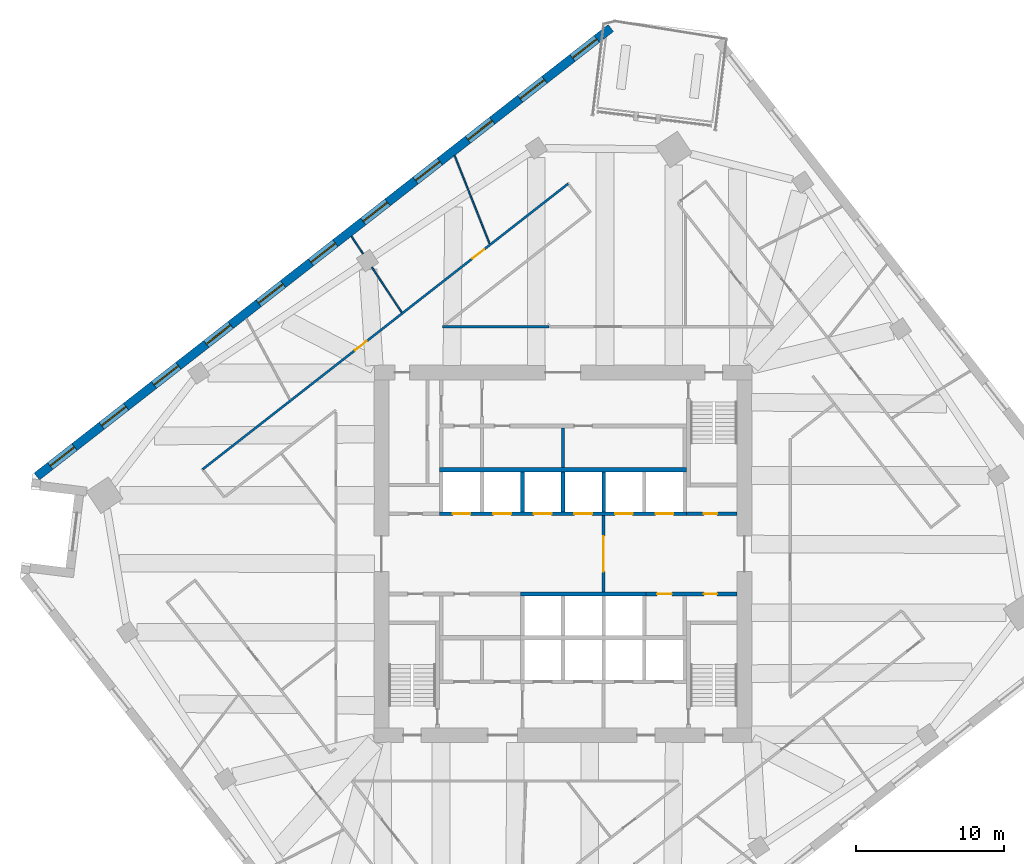
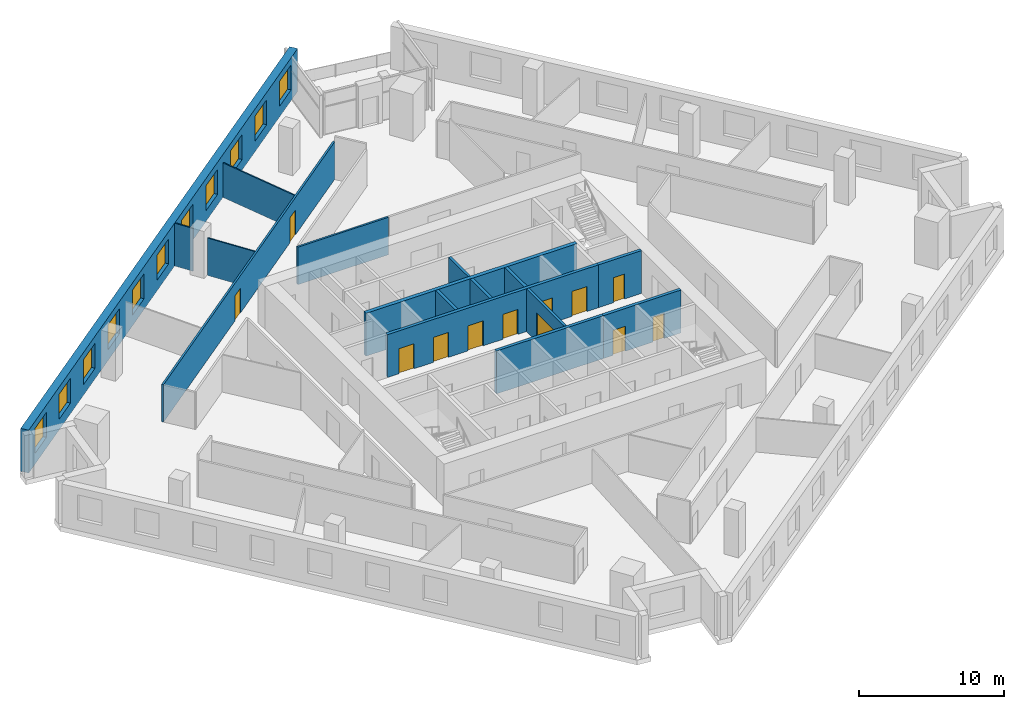
# One storey, part 7 of 11: 16 walls, 12 doors, 11 windows, 23 openings.
"""IFC4 building model written with IfcOpenShell, lengths in metres."""

from ifc_helpers import new_model, si_unit, direction, frame, frame_2d, origin, place, context, subcontext, project, spatial, rectangle, extrude, material, layer, layer_set, type_object, element, fill, save


model = new_model("IFC4")

# Units and contexts
model_context = context("Model", 3, precision=1e-05, world=origin(), true_north=direction((0.0, 1.0)))
body_context = subcontext(model_context, "Body", "Model", "MODEL_VIEW")
ifc_project = project(units=[si_unit("LENGTHUNIT", "METRE"), si_unit("AREAUNIT", "SQUARE_METRE"), si_unit("VOLUMEUNIT", "CUBIC_METRE"), si_unit("PLANEANGLEUNIT", "RADIAN"), si_unit("MASSUNIT", "GRAM", prefix="KILO")], contexts=[model_context])

# Site, building, storey
site_placement = place(None, origin())
site = spatial("IfcSite", under=ifc_project, at=site_placement, CompositionType="ELEMENT")
building_placement = place(site_placement, origin())
building = spatial("IfcBuilding", under=site, at=building_placement, Name="Dilmun Exchange Tower", CompositionType="ELEMENT")
storey_placement = place(building_placement, frame((0.0, 0.0, 179.699951171875)))
storey = spatial("IfcBuildingStorey", under=building, at=storey_placement, Name="L42", CompositionType="ELEMENT", Elevation=179.699951171875)

# Wall, opening, door
ifc_material_1 = material(Name="Concrete C40/50", Category="concrete")
ifc_layer_1 = layer(ifc_material_1, 0.199951171875)
ifc_layer_set_1 = layer_set([ifc_layer_1], Name="Concrete C40/50")
wall_type_1 = type_object("IfcWallType", Name="Core partition wall 200", PredefinedType="PARTITIONING", material=ifc_layer_set_1)
wall_1_placement = place(storey_placement, frame((2.75, -2.594970703125, 0.0), z_axis=(0.0, 0.0, 1.0), x_axis=(0.0, 1.0, 0.0)))
wall_1 = element("IfcWall", 1, at=wall_1_placement, inside=storey, type_object=wall_type_1, Name="L42 core partition wall 11", PredefinedType="PARTITIONING", context=body_context, shape_type="SweptSolid", body=[
    extrude(rectangle(XDim=5.18994140625, YDim=0.199951171875, at=frame_2d((2.594970703125, 0.0))), origin(), (0.0, 0.0, 1.0), 3.60009765625),
])
opening_1_placement = place(wall_1_placement, frame((1.39501953125, 0.0, 0.0)))
opening_1 = element("IfcOpeningElement", 2, at=opening_1_placement, cuts=wall_1, Name="Opening CD1", PredefinedType="OPENING", context=body_context, shape_type="SweptSolid", body=[
    extrude(rectangle(XDim=2.39990234375, YDim=2.39990234375, at=frame_2d((1.199951171875, 1.199951171875))), frame((0.0, 0.10986328125, 0.0), z_axis=(0.0, -1.0, 0.0), x_axis=(1.0, 0.0, 0.0)), (0.0, 0.0, 1.0), 0.219970703125),
])
ifc_material_2 = material(Name="Fire-rated steel door set", Category="steel")
door_type_1 = type_object("IfcDoorType", Name="Core lobby door 2400x2400", OperationType="DOUBLE_DOOR_DOUBLE_SWING", PredefinedType="DOOR", material=ifc_material_2)
door_1_placement = place(opening_1_placement, origin())
door_1 = element("IfcDoor", 3, at=door_1_placement, inside=storey, type_object=door_type_1, Name="L42 door Lift lobby east", OperationType="SINGLE_SWING_LEFT", OverallHeight=2.39990234375, OverallWidth=2.39990234375, PredefinedType="DOOR", context=body_context, shape_type="SweptSolid", body=[
    extrude(rectangle(XDim=2.39990234375, YDim=2.39990234375, at=frame_2d((1.199951171875, 1.199951171875))), frame((0.0, 0.02490234375, 0.0), z_axis=(0.0, -1.0, 0.0), x_axis=(1.0, 0.0, 0.0)), (0.0, 0.0, 1.0), 0.050048828125),
])
fill(opening_1, door_1)

# Wall
wall_2_placement = place(storey_placement, frame((0.0, 5.85498046875, 0.0), z_axis=(0.0, 0.0, 1.0), x_axis=(0.0, 1.0, 0.0)))
element("IfcWall", 4, at=wall_2_placement, inside=storey, type_object=wall_type_1, Name="L42 core partition wall 18", PredefinedType="PARTITIONING", context=body_context, shape_type="SweptSolid", body=[
    extrude(rectangle(XDim=2.68994140625, YDim=0.199951171875, at=frame_2d((1.344970703125, 0.0))), origin(), (0.0, 0.0, 1.0), 3.60009765625),
])

# Wall, openings, doors
ifc_layer_2 = layer(ifc_material_1, 0.25)
ifc_layer_set_2 = layer_set([ifc_layer_2], Name="Concrete C40/50")
wall_type_2 = type_object("IfcWallType", Name="Core partition wall 250", PredefinedType="PARTITIONING", material=ifc_layer_set_2)
wall_3_placement = place(storey_placement, frame((5.6298828125, -2.72509765625, 0.0), z_axis=(0.0, 0.0, 1.0), x_axis=(1.0, 0.0, 0.0)))
wall_3 = element("IfcWall", 5, at=wall_3_placement, inside=storey, type_object=wall_type_2, Name="L42 core partition wall 10", PredefinedType="PARTITIONING", context=body_context, shape_type="SweptSolid", body=[
    extrude(rectangle(XDim=6.1650390625, YDim=0.25, at=frame_2d((3.08251953125, 0.0))), origin(), (0.0, 0.0, 1.0), 3.60009765625),
])
opening_2_placement = place(wall_3_placement, frame((0.7451171875, 0.0, 0.0)))
opening_2 = element("IfcOpeningElement", 6, at=opening_2_placement, cuts=wall_3, Name="Opening CD4", PredefinedType="OPENING", context=body_context, shape_type="SweptSolid", body=[
    extrude(rectangle(XDim=1.0, YDim=2.10009765625, at=frame_2d((0.5, 1.050048828125))), frame((0.0, 0.135009765625, 0.0), z_axis=(0.0, -1.0, 0.0), x_axis=(1.0, 0.0, 0.0)), (0.0, 0.0, 1.0), 0.27001953125),
])
opening_3_placement = place(wall_3_placement, frame((3.919921875, 0.0, 0.0)))
opening_3 = element("IfcOpeningElement", 7, at=opening_3_placement, cuts=wall_3, Name="Opening CD6", PredefinedType="OPENING", context=body_context, shape_type="SweptSolid", body=[
    extrude(rectangle(XDim=0.89990234375, YDim=2.10009765625, at=frame_2d((0.449951171875, 1.050048828125))), frame((0.0, 0.135009765625, 0.0), z_axis=(0.0, -1.0, 0.0), x_axis=(1.0, 0.0, 0.0)), (0.0, 0.0, 1.0), 0.27001953125),
])
door_type_2 = type_object("IfcDoorType", Name="Core room door 1000x2100", OperationType="SINGLE_SWING_LEFT", PredefinedType="DOOR", material=ifc_material_2)
door_2_placement = place(opening_2_placement, origin())
door_2 = element("IfcDoor", 8, at=door_2_placement, inside=storey, type_object=door_type_2, Name="L42 door Cleaners' store", OperationType="SINGLE_SWING_LEFT", OverallHeight=2.10009765625, OverallWidth=1.0, PredefinedType="DOOR", context=body_context, shape_type="SweptSolid", body=[
    extrude(rectangle(XDim=1.0, YDim=2.10009765625, at=frame_2d((0.5, 1.050048828125))), frame((0.0, 0.02490234375, 0.0), z_axis=(0.0, -1.0, 0.0), x_axis=(1.0, 0.0, 0.0)), (0.0, 0.0, 1.0), 0.050048828125),
])
fill(opening_2, door_2)
door_type_3 = type_object("IfcDoorType", Name="Core room door 900x2100", OperationType="SINGLE_SWING_LEFT", PredefinedType="DOOR", material=ifc_material_2)
door_3_placement = place(opening_3_placement, origin())
door_3 = element("IfcDoor", 9, at=door_3_placement, inside=storey, type_object=door_type_3, Name="L42 door Comms riser", OperationType="SINGLE_SWING_LEFT", OverallHeight=2.10009765625, OverallWidth=0.89990234375, PredefinedType="DOOR", context=body_context, shape_type="SweptSolid", body=[
    extrude(rectangle(XDim=0.89990234375, YDim=2.10009765625, at=frame_2d((0.449951171875, 1.050048828125))), frame((0.0, 0.02490234375, 0.0), z_axis=(0.0, -1.0, 0.0), x_axis=(1.0, 0.0, 0.0)), (0.0, 0.0, 1.0), 0.050048828125),
])
fill(opening_3, door_3)

# Wall, opening, door
wall_4_placement = place(storey_placement, frame((8.3798828125, 2.72509765625, 0.0), z_axis=(0.0, 0.0, 1.0), x_axis=(1.0, 0.0, 0.0)))
wall_4 = element("IfcWall", 10, at=wall_4_placement, inside=storey, type_object=wall_type_2, Name="L42 core partition wall 13", PredefinedType="PARTITIONING", context=body_context, shape_type="SweptSolid", body=[
    extrude(rectangle(XDim=3.4150390625, YDim=0.25, at=frame_2d((1.70751953125, 0.0))), origin(), (0.0, 0.0, 1.0), 3.60009765625),
])
opening_4_placement = place(wall_4_placement, frame((1.169921875, 0.0, 0.0)))
opening_4 = element("IfcOpeningElement", 11, at=opening_4_placement, cuts=wall_4, Name="Opening CD6", PredefinedType="OPENING", context=body_context, shape_type="SweptSolid", body=[
    extrude(rectangle(XDim=0.89990234375, YDim=2.10009765625, at=frame_2d((0.449951171875, 1.050048828125))), frame((0.0, 0.135009765625, 0.0), z_axis=(0.0, -1.0, 0.0), x_axis=(1.0, 0.0, 0.0)), (0.0, 0.0, 1.0), 0.27001953125),
])
door_4_placement = place(opening_4_placement, origin())
door_4 = element("IfcDoor", 12, at=door_4_placement, inside=storey, type_object=door_type_3, Name="L42 door Electrical riser", OperationType="SINGLE_SWING_LEFT", OverallHeight=2.10009765625, OverallWidth=0.89990234375, PredefinedType="DOOR", context=body_context, shape_type="SweptSolid", body=[
    extrude(rectangle(XDim=0.89990234375, YDim=2.10009765625, at=frame_2d((0.449951171875, 1.050048828125))), frame((0.0, 0.02490234375, 0.0), z_axis=(0.0, -1.0, 0.0), x_axis=(1.0, 0.0, 0.0)), (0.0, 0.0, 1.0), 0.050048828125),
])
fill(opening_4, door_4)

# Wall, openings, doors
ifc_material_3 = material(Name="Corridor wall 150")
ifc_layer_3 = layer(ifc_material_3, 0.14990234375)
ifc_layer_set_3 = layer_set([ifc_layer_3], Name="Corridor wall 150")
wall_type_3 = type_object("IfcWallType", Name="Corridor wall 150", PredefinedType="PARTITIONING", material=ifc_layer_set_3)
wall_5_placement = place(storey_placement, frame((-24.43310546875, 5.73388671875, 0.0), z_axis=(0.0, 0.0, 1.0), x_axis=(0.788010131951, 0.615662271008, 0.0)))
wall_5 = element("IfcWall", 13, at=wall_5_placement, inside=storey, type_object=wall_type_3, Name="Corridor wall", PredefinedType="PARTITIONING", context=body_context, shape_type="SweptSolid", body=[
    extrude(rectangle(XDim=31.447509765625, YDim=0.14990234375, at=frame_2d((15.7236328125, 0.0))), origin(), (0.0, 0.0, 1.0), 3.150146484375),
])
opening_5_placement = place(wall_5_placement, frame((13.107666015625, 0.0, 0.0)))
opening_5 = element("IfcOpeningElement", 14, at=opening_5_placement, cuts=wall_5, Name="Opening TF41-D06", PredefinedType="OPENING", context=body_context, shape_type="SweptSolid", body=[
    extrude(rectangle(XDim=1.0, YDim=2.10009765625, at=frame_2d((0.5, 1.050048828125))), frame((0.0, 0.0849609375, 0.0), z_axis=(0.0, -1.0, 0.0), x_axis=(1.0, 0.0, 0.0)), (0.0, 0.0, 1.0), 0.169921875),
])
opening_6_placement = place(wall_5_placement, frame((23.2265625, 0.0, 0.0)))
opening_6 = element("IfcOpeningElement", 15, at=opening_6_placement, cuts=wall_5, Name="Opening TF41-D09", PredefinedType="OPENING", context=body_context, shape_type="SweptSolid", body=[
    extrude(rectangle(XDim=1.0, YDim=2.10009765625, at=frame_2d((0.5, 1.050048828125))), frame((0.0, 0.0849609375, 0.0), z_axis=(0.0, -1.0, 0.0), x_axis=(1.0, 0.0, 0.0)), (0.0, 0.0, 1.0), 0.169921875),
])
ifc_material_4 = material(Name="Fire door 1000 x 2100")
door_type_4 = type_object("IfcDoorType", Name="Fire door 1000 x 2100", OperationType="NOTDEFINED", PredefinedType="DOOR", material=ifc_material_4)
door_5_placement = place(opening_5_placement, origin())
door_5 = element("IfcDoor", 16, at=door_5_placement, inside=storey, type_object=door_type_4, Name="Door TF41-D06", OperationType="SINGLE_SWING_LEFT", OverallHeight=2.10009765625, OverallWidth=1.0, PredefinedType="DOOR", context=body_context, shape_type="SweptSolid", body=[
    extrude(rectangle(XDim=1.0, YDim=2.10009765625, at=frame_2d((0.5, 1.050048828125))), frame((0.0, 0.02490234375, 0.0), z_axis=(0.0, -1.0, 0.0), x_axis=(1.0, 0.0, 0.0)), (0.0, 0.0, 1.0), 0.050048828125),
])
fill(opening_5, door_5)
door_6_placement = place(opening_6_placement, origin())
door_6 = element("IfcDoor", 17, at=door_6_placement, inside=storey, type_object=door_type_4, Name="Door TF41-D09", OperationType="SINGLE_SWING_RIGHT", OverallHeight=2.10009765625, OverallWidth=1.0, PredefinedType="DOOR", context=body_context, shape_type="SweptSolid", body=[
    extrude(rectangle(XDim=1.0, YDim=2.10009765625, at=frame_2d((0.5, 1.050048828125))), frame((0.0, 0.02490234375, 0.0), z_axis=(0.0, -1.0, 0.0), x_axis=(1.0, 0.0, 0.0)), (0.0, 0.0, 1.0), 0.050048828125),
])
fill(opening_6, door_6)

# Walls
wall_6_placement = place(storey_placement, frame((-8.1630859375, 15.39990234375, 0.0), z_axis=(0.0, 0.0, 1.0), x_axis=(1.0, 0.0, 0.0)))
element("IfcWall", 18, at=wall_6_placement, inside=storey, type_object=wall_type_3, Name="Corridor wall", PredefinedType="PARTITIONING", context=body_context, shape_type="SweptSolid", body=[
    extrude(rectangle(XDim=7.211181640625, YDim=0.14990234375, at=frame_2d((3.60546875, 0.0))), origin(), (0.0, 0.0, 1.0), 3.150146484375),
])
ifc_layer_4 = layer(ifc_material_1, 0.300048828125)
ifc_layer_set_4 = layer_set([ifc_layer_4], Name="Concrete C40/50")
wall_type_4 = type_object("IfcWallType", Name="Lift shaft shared wall 300", PredefinedType="SOLIDWALL", material=ifc_layer_set_4)
wall_7_placement = place(storey_placement, frame((-8.375, 5.699951171875, 0.0), z_axis=(0.0, 0.0, 1.0), x_axis=(1.0, 0.0, 0.0)))
element("IfcWall", 19, at=wall_7_placement, inside=storey, type_object=wall_type_4, Name="L42 lift shaft rear wall N", PredefinedType="SOLIDWALL", context=body_context, shape_type="SweptSolid", body=[
    extrude(rectangle(XDim=16.75, YDim=0.300048828125, at=frame_2d((8.375, 0.0))), origin(), (0.0, 0.0, 1.0), 3.60009765625),
])

# Wall, openings, doors
ifc_layer_5 = layer(ifc_material_1, 0.25)
ifc_layer_set_5 = layer_set([ifc_layer_5], Name="Concrete C40/50")
wall_type_5 = type_object("IfcWallType", Name="Lift shaft wall 250", PredefinedType="SOLIDWALL", material=ifc_layer_set_5)
wall_8_placement = place(storey_placement, frame((-8.375, 2.72509765625, 0.0), z_axis=(0.0, 0.0, 1.0), x_axis=(1.0, 0.0, 0.0)))
wall_8 = element("IfcWall", 20, at=wall_8_placement, inside=storey, type_object=wall_type_5, Name="L42 lift shaft front wall N1", PredefinedType="SOLIDWALL", context=body_context, shape_type="SweptSolid", body=[
    extrude(rectangle(XDim=16.75, YDim=0.25, at=frame_2d((8.375, 0.0))), origin(), (0.0, 0.0, 1.0), 3.60009765625),
])
opening_7_placement = place(wall_8_placement, frame((0.89990234375, 0.0, 0.0)))
opening_7 = element("IfcOpeningElement", 21, at=opening_7_placement, cuts=wall_8, Name="Opening LD", PredefinedType="OPENING", context=body_context, shape_type="SweptSolid", body=[
    extrude(rectangle(XDim=1.199951171875, YDim=2.10009765625, at=frame_2d((0.60009765625, 1.050048828125))), frame((0.0, 0.135009765625, 0.0), z_axis=(0.0, -1.0, 0.0), x_axis=(1.0, 0.0, 0.0)), (0.0, 0.0, 1.0), 0.27001953125),
])
opening_8_placement = place(wall_8_placement, frame((3.64990234375, 0.0, 0.0)))
opening_8 = element("IfcOpeningElement", 22, at=opening_8_placement, cuts=wall_8, Name="Opening LD", PredefinedType="OPENING", context=body_context, shape_type="SweptSolid", body=[
    extrude(rectangle(XDim=1.199951171875, YDim=2.10009765625, at=frame_2d((0.60009765625, 1.050048828125))), frame((0.0, 0.135009765625, 0.0), z_axis=(0.0, -1.0, 0.0), x_axis=(1.0, 0.0, 0.0)), (0.0, 0.0, 1.0), 0.27001953125),
])
opening_9_placement = place(wall_8_placement, frame((6.39990234375, 0.0, 0.0)))
opening_9 = element("IfcOpeningElement", 23, at=opening_9_placement, cuts=wall_8, Name="Opening LD", PredefinedType="OPENING", context=body_context, shape_type="SweptSolid", body=[
    extrude(rectangle(XDim=1.199951171875, YDim=2.10009765625, at=frame_2d((0.60009765625, 1.050048828125))), frame((0.0, 0.135009765625, 0.0), z_axis=(0.0, -1.0, 0.0), x_axis=(1.0, 0.0, 0.0)), (0.0, 0.0, 1.0), 0.27001953125),
])
opening_10_placement = place(wall_8_placement, frame((9.14990234375, 0.0, 0.0)))
opening_10 = element("IfcOpeningElement", 24, at=opening_10_placement, cuts=wall_8, Name="Opening LD", PredefinedType="OPENING", context=body_context, shape_type="SweptSolid", body=[
    extrude(rectangle(XDim=1.199951171875, YDim=2.10009765625, at=frame_2d((0.60009765625, 1.050048828125))), frame((0.0, 0.135009765625, 0.0), z_axis=(0.0, -1.0, 0.0), x_axis=(1.0, 0.0, 0.0)), (0.0, 0.0, 1.0), 0.27001953125),
])
opening_11_placement = place(wall_8_placement, frame((11.89990234375, 0.0, 0.0)))
opening_11 = element("IfcOpeningElement", 25, at=opening_11_placement, cuts=wall_8, Name="Opening LD", PredefinedType="OPENING", context=body_context, shape_type="SweptSolid", body=[
    extrude(rectangle(XDim=1.199951171875, YDim=2.10009765625, at=frame_2d((0.60009765625, 1.050048828125))), frame((0.0, 0.135009765625, 0.0), z_axis=(0.0, -1.0, 0.0), x_axis=(1.0, 0.0, 0.0)), (0.0, 0.0, 1.0), 0.27001953125),
])
opening_12_placement = place(wall_8_placement, frame((14.64990234375, 0.0, 0.0)))
opening_12 = element("IfcOpeningElement", 26, at=opening_12_placement, cuts=wall_8, Name="Opening LD", PredefinedType="OPENING", context=body_context, shape_type="SweptSolid", body=[
    extrude(rectangle(XDim=1.199951171875, YDim=2.10009765625, at=frame_2d((0.60009765625, 1.050048828125))), frame((0.0, 0.135009765625, 0.0), z_axis=(0.0, -1.0, 0.0), x_axis=(1.0, 0.0, 0.0)), (0.0, 0.0, 1.0), 0.27001953125),
])
door_type_5 = type_object("IfcDoorType", Name="Lift landing door 1200x2100", OperationType="DOUBLE_DOOR_SLIDING", PredefinedType="DOOR", material=ifc_material_2)
door_7_placement = place(opening_7_placement, origin())
door_7 = element("IfcDoor", 27, at=door_7_placement, inside=storey, type_object=door_type_5, Name="L42 landing door MR1", OperationType="DOUBLE_DOOR_SLIDING", OverallHeight=2.10009765625, OverallWidth=1.199951171875, PredefinedType="DOOR", context=body_context, shape_type="SweptSolid", body=[
    extrude(rectangle(XDim=1.199951171875, YDim=2.10009765625, at=frame_2d((0.60009765625, 1.050048828125))), frame((0.0, 0.02490234375, 0.0), z_axis=(0.0, -1.0, 0.0), x_axis=(1.0, 0.0, 0.0)), (0.0, 0.0, 1.0), 0.050048828125),
])
fill(opening_7, door_7)
door_8_placement = place(opening_8_placement, origin())
door_8 = element("IfcDoor", 28, at=door_8_placement, inside=storey, type_object=door_type_5, Name="L42 landing door MR2", OperationType="DOUBLE_DOOR_SLIDING", OverallHeight=2.10009765625, OverallWidth=1.199951171875, PredefinedType="DOOR", context=body_context, shape_type="SweptSolid", body=[
    extrude(rectangle(XDim=1.199951171875, YDim=2.10009765625, at=frame_2d((0.60009765625, 1.050048828125))), frame((0.0, 0.02490234375, 0.0), z_axis=(0.0, -1.0, 0.0), x_axis=(1.0, 0.0, 0.0)), (0.0, 0.0, 1.0), 0.050048828125),
])
fill(opening_8, door_8)
door_9_placement = place(opening_9_placement, origin())
door_9 = element("IfcDoor", 29, at=door_9_placement, inside=storey, type_object=door_type_5, Name="L42 landing door MR3", OperationType="DOUBLE_DOOR_SLIDING", OverallHeight=2.10009765625, OverallWidth=1.199951171875, PredefinedType="DOOR", context=body_context, shape_type="SweptSolid", body=[
    extrude(rectangle(XDim=1.199951171875, YDim=2.10009765625, at=frame_2d((0.60009765625, 1.050048828125))), frame((0.0, 0.02490234375, 0.0), z_axis=(0.0, -1.0, 0.0), x_axis=(1.0, 0.0, 0.0)), (0.0, 0.0, 1.0), 0.050048828125),
])
fill(opening_9, door_9)
door_10_placement = place(opening_10_placement, origin())
door_10 = element("IfcDoor", 30, at=door_10_placement, inside=storey, type_object=door_type_5, Name="L42 landing door MR4", OperationType="DOUBLE_DOOR_SLIDING", OverallHeight=2.10009765625, OverallWidth=1.199951171875, PredefinedType="DOOR", context=body_context, shape_type="SweptSolid", body=[
    extrude(rectangle(XDim=1.199951171875, YDim=2.10009765625, at=frame_2d((0.60009765625, 1.050048828125))), frame((0.0, 0.02490234375, 0.0), z_axis=(0.0, -1.0, 0.0), x_axis=(1.0, 0.0, 0.0)), (0.0, 0.0, 1.0), 0.050048828125),
])
fill(opening_10, door_10)
door_11_placement = place(opening_11_placement, origin())
door_11 = element("IfcDoor", 31, at=door_11_placement, inside=storey, type_object=door_type_5, Name="L42 landing door MR5", OperationType="DOUBLE_DOOR_SLIDING", OverallHeight=2.10009765625, OverallWidth=1.199951171875, PredefinedType="DOOR", context=body_context, shape_type="SweptSolid", body=[
    extrude(rectangle(XDim=1.199951171875, YDim=2.10009765625, at=frame_2d((0.60009765625, 1.050048828125))), frame((0.0, 0.02490234375, 0.0), z_axis=(0.0, -1.0, 0.0), x_axis=(1.0, 0.0, 0.0)), (0.0, 0.0, 1.0), 0.050048828125),
])
fill(opening_11, door_11)
door_12_placement = place(opening_12_placement, origin())
door_12 = element("IfcDoor", 32, at=door_12_placement, inside=storey, type_object=door_type_5, Name="L42 landing door MR6", OperationType="DOUBLE_DOOR_SLIDING", OverallHeight=2.10009765625, OverallWidth=1.199951171875, PredefinedType="DOOR", context=body_context, shape_type="SweptSolid", body=[
    extrude(rectangle(XDim=1.199951171875, YDim=2.10009765625, at=frame_2d((0.60009765625, 1.050048828125))), frame((0.0, 0.02490234375, 0.0), z_axis=(0.0, -1.0, 0.0), x_axis=(1.0, 0.0, 0.0)), (0.0, 0.0, 1.0), 0.050048828125),
])
fill(opening_12, door_12)

# Walls
for number, where, z_axis, x_axis, name in (
    (33, (-2.75, 2.85009765625, 0.0), (0.0, 0.0, 1.0), (0.0, 1.0, 0.0), "L42 lift shaft divider N12"),
    (34, (0.0, 2.85009765625, 0.0), (0.0, 0.0, 1.0), (0.0, 1.0, 0.0), "L42 lift shaft divider N13"),
    (35, (2.75, 2.85009765625, 0.0), (0.0, 0.0, 1.0), (0.0, 1.0, 0.0), "L42 lift shaft divider N14"),
):
    element("IfcWall", number, at=place(storey_placement, frame(where, z_axis=z_axis, x_axis=x_axis)), inside=storey, type_object=wall_type_5, Name=name, PredefinedType="SOLIDWALL", context=body_context, shape_type="SweptSolid", body=[
        extrude(rectangle(XDim=2.699951171875, YDim=0.25, at=frame_2d((1.35009765625, 0.0))), origin(), (0.0, 0.0, 1.0), 3.60009765625),
    ])
wall_9_placement = place(storey_placement, frame((-2.875, -2.72509765625, 0.0), z_axis=(0.0, 0.0, 1.0), x_axis=(1.0, 0.0, 0.0)))
element("IfcWall", 36, at=wall_9_placement, inside=storey, type_object=wall_type_5, Name="L42 lift shaft front wall S1", PredefinedType="SOLIDWALL", context=body_context, shape_type="SweptSolid", body=[
    extrude(rectangle(XDim=8.5, YDim=0.25, at=frame_2d((4.25, 0.0))), origin(), (0.0, 0.0, 1.0), 3.60009765625),
])
ifc_material_5 = material(Name="Partition 100")
ifc_layer_6 = layer(ifc_material_5, 0.10009765625)
ifc_layer_set_6 = layer_set([ifc_layer_6], Name="Partition 100")
wall_type_6 = type_object("IfcWallType", Name="Partition 100", PredefinedType="PARTITIONING", material=ifc_layer_set_6)
wall_10_placement = place(storey_placement, frame((-14.344482421875, 21.531005859375, 0.0), z_axis=(0.0, 0.0, 1.0), x_axis=(0.550851774101, -0.834603093075, 0.0)))
element("IfcWall", 37, at=wall_10_placement, inside=storey, type_object=wall_type_6, Name="Partition", PredefinedType="PARTITIONING", context=body_context, shape_type="SweptSolid", body=[
    extrude(rectangle(XDim=1.42236328125, YDim=0.10009765625, at=frame_2d((0.711181640625, 0.0))), origin(), (0.0, 0.0, 1.0), 3.60009765625),
])
wall_11_placement = place(storey_placement, frame((-12.955078125, 19.42578125, 0.0), z_axis=(0.0, 0.0, 1.0), x_axis=(0.55082545929, -0.834620460687, 0.0)))
element("IfcWall", 38, at=wall_11_placement, inside=storey, type_object=wall_type_6, Name="Partition", PredefinedType="PARTITIONING", context=body_context, shape_type="SweptSolid", body=[
    extrude(rectangle(XDim=3.6552734375, YDim=0.10009765625, at=frame_2d((1.82763671875, 0.0))), origin(), (0.0, 0.0, 1.0), 3.150146484375),
])
wall_12_placement = place(storey_placement, frame((-7.35107421875, 26.994873046875, 0.0), z_axis=(0.0, 0.0, 1.0), x_axis=(0.369457986925, -0.929247435239, 0.0)))
element("IfcWall", 39, at=wall_12_placement, inside=storey, type_object=wall_type_6, Name="Partition", PredefinedType="PARTITIONING", context=body_context, shape_type="SweptSolid", body=[
    extrude(rectangle(XDim=6.40576171875, YDim=0.10009765625, at=frame_2d((3.202880859375, 0.0))), origin(), (0.0, 0.0, 1.0), 2.900146484375),
])

# Wall, openings, windows
ifc_material_6 = material(Name="Precast concrete C50/60", Category="concrete")
ifc_layer_7 = layer(ifc_material_6, 0.60009765625)
ifc_layer_set_7 = layer_set([ifc_layer_7], Name="Precast concrete C50/60")
wall_type_7 = type_object("IfcWallType", Name="Precast stone-clad wall 600", PredefinedType="STANDARD", material=ifc_layer_set_7)
wall_13_placement = place(storey_placement, frame((3.237548828125, 35.65087890625, 0.0), z_axis=(0.0, 0.0, 1.0), x_axis=(-0.788009530914, -0.615663040298, 0.0)))
wall_13 = element("IfcWall", 40, at=wall_13_placement, inside=storey, type_object=wall_type_7, Name="Facade wall L42-03", PredefinedType="STANDARD", context=body_context, shape_type="SweptSolid", body=[
    extrude(rectangle(XDim=49.3759765625, YDim=0.60009765625, at=frame_2d((24.68798828125, 0.0))), origin(), (0.0, 0.0, 1.0), 3.60009765625),
])
opening_13_placement = place(wall_13_placement, frame((1.199951171875, 0.0, 0.89990234375)))
opening_13 = element("IfcOpeningElement", 41, at=opening_13_placement, cuts=wall_13, Name="Opening W210-210", PredefinedType="OPENING", context=body_context, shape_type="SweptSolid", body=[
    extrude(rectangle(XDim=2.10009765625, YDim=2.10009765625, at=frame_2d((1.050048828125, 1.050048828125))), frame((0.0, 0.31005859375, 0.0), z_axis=(0.0, -1.0, 0.0), x_axis=(1.0, 0.0, 0.0)), (0.0, 0.0, 1.0), 0.6201171875),
])
opening_14_placement = place(wall_13_placement, frame((5.699951171875, 0.0, 0.89990234375)))
opening_14 = element("IfcOpeningElement", 42, at=opening_14_placement, cuts=wall_13, Name="Opening W210-210", PredefinedType="OPENING", context=body_context, shape_type="SweptSolid", body=[
    extrude(rectangle(XDim=2.10009765625, YDim=2.10009765625, at=frame_2d((1.050048828125, 1.050048828125))), frame((0.0, 0.31005859375, 0.0), z_axis=(0.0, -1.0, 0.0), x_axis=(1.0, 0.0, 0.0)), (0.0, 0.0, 1.0), 0.6201171875),
])
opening_15_placement = place(wall_13_placement, frame((10.199951171875, 0.0, 0.89990234375)))
opening_15 = element("IfcOpeningElement", 43, at=opening_15_placement, cuts=wall_13, Name="Opening W210-210", PredefinedType="OPENING", context=body_context, shape_type="SweptSolid", body=[
    extrude(rectangle(XDim=2.10009765625, YDim=2.10009765625, at=frame_2d((1.050048828125, 1.050048828125))), frame((0.0, 0.31005859375, 0.0), z_axis=(0.0, -1.0, 0.0), x_axis=(1.0, 0.0, 0.0)), (0.0, 0.0, 1.0), 0.6201171875),
])
opening_16_placement = place(wall_13_placement, frame((14.699951171875, 0.0, 0.89990234375)))
opening_16 = element("IfcOpeningElement", 44, at=opening_16_placement, cuts=wall_13, Name="Opening W210-210", PredefinedType="OPENING", context=body_context, shape_type="SweptSolid", body=[
    extrude(rectangle(XDim=2.10009765625, YDim=2.10009765625, at=frame_2d((1.050048828125, 1.050048828125))), frame((0.0, 0.31005859375, 0.0), z_axis=(0.0, -1.0, 0.0), x_axis=(1.0, 0.0, 0.0)), (0.0, 0.0, 1.0), 0.6201171875),
])
opening_17_placement = place(wall_13_placement, frame((19.199951171875, 0.0, 0.89990234375)))
opening_17 = element("IfcOpeningElement", 45, at=opening_17_placement, cuts=wall_13, Name="Opening W210-210", PredefinedType="OPENING", context=body_context, shape_type="SweptSolid", body=[
    extrude(rectangle(XDim=2.10009765625, YDim=2.10009765625, at=frame_2d((1.050048828125, 1.050048828125))), frame((0.0, 0.31005859375, 0.0), z_axis=(0.0, -1.0, 0.0), x_axis=(1.0, 0.0, 0.0)), (0.0, 0.0, 1.0), 0.6201171875),
])
opening_18_placement = place(wall_13_placement, frame((23.699951171875, 0.0, 0.89990234375)))
opening_18 = element("IfcOpeningElement", 46, at=opening_18_placement, cuts=wall_13, Name="Opening W210-210", PredefinedType="OPENING", context=body_context, shape_type="SweptSolid", body=[
    extrude(rectangle(XDim=2.10009765625, YDim=2.10009765625, at=frame_2d((1.050048828125, 1.050048828125))), frame((0.0, 0.31005859375, 0.0), z_axis=(0.0, -1.0, 0.0), x_axis=(1.0, 0.0, 0.0)), (0.0, 0.0, 1.0), 0.6201171875),
])
opening_19_placement = place(wall_13_placement, frame((28.199951171875, 0.0, 0.89990234375)))
opening_19 = element("IfcOpeningElement", 47, at=opening_19_placement, cuts=wall_13, Name="Opening W210-210", PredefinedType="OPENING", context=body_context, shape_type="SweptSolid", body=[
    extrude(rectangle(XDim=2.10009765625, YDim=2.10009765625, at=frame_2d((1.050048828125, 1.050048828125))), frame((0.0, 0.31005859375, 0.0), z_axis=(0.0, -1.0, 0.0), x_axis=(1.0, 0.0, 0.0)), (0.0, 0.0, 1.0), 0.6201171875),
])
opening_20_placement = place(wall_13_placement, frame((32.699951171875, 0.0, 0.89990234375)))
opening_20 = element("IfcOpeningElement", 48, at=opening_20_placement, cuts=wall_13, Name="Opening W210-210", PredefinedType="OPENING", context=body_context, shape_type="SweptSolid", body=[
    extrude(rectangle(XDim=2.10009765625, YDim=2.10009765625, at=frame_2d((1.050048828125, 1.050048828125))), frame((0.0, 0.31005859375, 0.0), z_axis=(0.0, -1.0, 0.0), x_axis=(1.0, 0.0, 0.0)), (0.0, 0.0, 1.0), 0.6201171875),
])
opening_21_placement = place(wall_13_placement, frame((37.199951171875, 0.0, 0.89990234375)))
opening_21 = element("IfcOpeningElement", 49, at=opening_21_placement, cuts=wall_13, Name="Opening W210-210", PredefinedType="OPENING", context=body_context, shape_type="SweptSolid", body=[
    extrude(rectangle(XDim=2.10009765625, YDim=2.10009765625, at=frame_2d((1.050048828125, 1.050048828125))), frame((0.0, 0.31005859375, 0.0), z_axis=(0.0, -1.0, 0.0), x_axis=(1.0, 0.0, 0.0)), (0.0, 0.0, 1.0), 0.6201171875),
])
opening_22_placement = place(wall_13_placement, frame((41.699951171875, 0.0, 0.89990234375)))
opening_22 = element("IfcOpeningElement", 50, at=opening_22_placement, cuts=wall_13, Name="Opening W210-210", PredefinedType="OPENING", context=body_context, shape_type="SweptSolid", body=[
    extrude(rectangle(XDim=2.10009765625, YDim=2.10009765625, at=frame_2d((1.050048828125, 1.050048828125))), frame((0.0, 0.31005859375, 0.0), z_axis=(0.0, -1.0, 0.0), x_axis=(1.0, 0.0, 0.0)), (0.0, 0.0, 1.0), 0.6201171875),
])
opening_23_placement = place(wall_13_placement, frame((46.137939453125, 0.0, 0.89990234375)))
opening_23 = element("IfcOpeningElement", 51, at=opening_23_placement, cuts=wall_13, Name="Opening W210-210", PredefinedType="OPENING", context=body_context, shape_type="SweptSolid", body=[
    extrude(rectangle(XDim=2.10009765625, YDim=2.10009765625, at=frame_2d((1.050048828125, 1.050048828125))), frame((0.0, 0.31005859375, 0.0), z_axis=(0.0, -1.0, 0.0), x_axis=(1.0, 0.0, 0.0)), (0.0, 0.0, 1.0), 0.6201171875),
])
ifc_material_7 = material(Name="Clear low-emissivity glass in aluminium frame", Category="aluminium")
window_type = type_object("IfcWindowType", Name="Punched window 2100 x 2100", PartitioningType="DOUBLE_PANEL_VERTICAL", PredefinedType="WINDOW", material=ifc_material_7)
window_1_placement = place(opening_13_placement, origin())
window_1 = element("IfcWindow", 52, at=window_1_placement, inside=storey, type_object=window_type, Name="Window 4.1", OverallHeight=2.10009765625, OverallWidth=2.10009765625, PartitioningType="SINGLE_PANEL", PredefinedType="WINDOW", context=body_context, shape_type="SweptSolid", body=[
    extrude(rectangle(XDim=2.10009765625, YDim=2.10009765625, at=frame_2d((1.050048828125, 1.050048828125))), frame((0.0, 0.030029296875, 0.0), z_axis=(0.0, -1.0, 0.0), x_axis=(1.0, 0.0, 0.0)), (0.0, 0.0, 1.0), 0.06005859375),
])
fill(opening_13, window_1)
window_2_placement = place(opening_14_placement, origin())
window_2 = element("IfcWindow", 53, at=window_2_placement, inside=storey, type_object=window_type, Name="Window 4.2", OverallHeight=2.10009765625, OverallWidth=2.10009765625, PartitioningType="SINGLE_PANEL", PredefinedType="WINDOW", context=body_context, shape_type="SweptSolid", body=[
    extrude(rectangle(XDim=2.10009765625, YDim=2.10009765625, at=frame_2d((1.050048828125, 1.050048828125))), frame((0.0, 0.030029296875, 0.0), z_axis=(0.0, -1.0, 0.0), x_axis=(1.0, 0.0, 0.0)), (0.0, 0.0, 1.0), 0.06005859375),
])
fill(opening_14, window_2)
window_3_placement = place(opening_15_placement, origin())
window_3 = element("IfcWindow", 54, at=window_3_placement, inside=storey, type_object=window_type, Name="Window 4.3", OverallHeight=2.10009765625, OverallWidth=2.10009765625, PartitioningType="SINGLE_PANEL", PredefinedType="WINDOW", context=body_context, shape_type="SweptSolid", body=[
    extrude(rectangle(XDim=2.10009765625, YDim=2.10009765625, at=frame_2d((1.050048828125, 1.050048828125))), frame((0.0, 0.030029296875, 0.0), z_axis=(0.0, -1.0, 0.0), x_axis=(1.0, 0.0, 0.0)), (0.0, 0.0, 1.0), 0.06005859375),
])
fill(opening_15, window_3)
window_4_placement = place(opening_16_placement, origin())
window_4 = element("IfcWindow", 55, at=window_4_placement, inside=storey, type_object=window_type, Name="Window 4.4", OverallHeight=2.10009765625, OverallWidth=2.10009765625, PartitioningType="SINGLE_PANEL", PredefinedType="WINDOW", context=body_context, shape_type="SweptSolid", body=[
    extrude(rectangle(XDim=2.10009765625, YDim=2.10009765625, at=frame_2d((1.050048828125, 1.050048828125))), frame((0.0, 0.030029296875, 0.0), z_axis=(0.0, -1.0, 0.0), x_axis=(1.0, 0.0, 0.0)), (0.0, 0.0, 1.0), 0.06005859375),
])
fill(opening_16, window_4)
window_5_placement = place(opening_17_placement, origin())
window_5 = element("IfcWindow", 56, at=window_5_placement, inside=storey, type_object=window_type, Name="Window 4.5", OverallHeight=2.10009765625, OverallWidth=2.10009765625, PartitioningType="SINGLE_PANEL", PredefinedType="WINDOW", context=body_context, shape_type="SweptSolid", body=[
    extrude(rectangle(XDim=2.10009765625, YDim=2.10009765625, at=frame_2d((1.050048828125, 1.050048828125))), frame((0.0, 0.030029296875, 0.0), z_axis=(0.0, -1.0, 0.0), x_axis=(1.0, 0.0, 0.0)), (0.0, 0.0, 1.0), 0.06005859375),
])
fill(opening_17, window_5)
window_6_placement = place(opening_18_placement, origin())
window_6 = element("IfcWindow", 57, at=window_6_placement, inside=storey, type_object=window_type, Name="Window 4.6", OverallHeight=2.10009765625, OverallWidth=2.10009765625, PartitioningType="SINGLE_PANEL", PredefinedType="WINDOW", context=body_context, shape_type="SweptSolid", body=[
    extrude(rectangle(XDim=2.10009765625, YDim=2.10009765625, at=frame_2d((1.050048828125, 1.050048828125))), frame((0.0, 0.030029296875, 0.0), z_axis=(0.0, -1.0, 0.0), x_axis=(1.0, 0.0, 0.0)), (0.0, 0.0, 1.0), 0.06005859375),
])
fill(opening_18, window_6)
window_7_placement = place(opening_19_placement, origin())
window_7 = element("IfcWindow", 58, at=window_7_placement, inside=storey, type_object=window_type, Name="Window 4.7", OverallHeight=2.10009765625, OverallWidth=2.10009765625, PartitioningType="SINGLE_PANEL", PredefinedType="WINDOW", context=body_context, shape_type="SweptSolid", body=[
    extrude(rectangle(XDim=2.10009765625, YDim=2.10009765625, at=frame_2d((1.050048828125, 1.050048828125))), frame((0.0, 0.030029296875, 0.0), z_axis=(0.0, -1.0, 0.0), x_axis=(1.0, 0.0, 0.0)), (0.0, 0.0, 1.0), 0.06005859375),
])
fill(opening_19, window_7)
window_8_placement = place(opening_20_placement, origin())
window_8 = element("IfcWindow", 59, at=window_8_placement, inside=storey, type_object=window_type, Name="Window 4.8", OverallHeight=2.10009765625, OverallWidth=2.10009765625, PartitioningType="SINGLE_PANEL", PredefinedType="WINDOW", context=body_context, shape_type="SweptSolid", body=[
    extrude(rectangle(XDim=2.10009765625, YDim=2.10009765625, at=frame_2d((1.050048828125, 1.050048828125))), frame((0.0, 0.030029296875, 0.0), z_axis=(0.0, -1.0, 0.0), x_axis=(1.0, 0.0, 0.0)), (0.0, 0.0, 1.0), 0.06005859375),
])
fill(opening_20, window_8)
window_9_placement = place(opening_21_placement, origin())
window_9 = element("IfcWindow", 60, at=window_9_placement, inside=storey, type_object=window_type, Name="Window 4.9", OverallHeight=2.10009765625, OverallWidth=2.10009765625, PartitioningType="SINGLE_PANEL", PredefinedType="WINDOW", context=body_context, shape_type="SweptSolid", body=[
    extrude(rectangle(XDim=2.10009765625, YDim=2.10009765625, at=frame_2d((1.050048828125, 1.050048828125))), frame((0.0, 0.030029296875, 0.0), z_axis=(0.0, -1.0, 0.0), x_axis=(1.0, 0.0, 0.0)), (0.0, 0.0, 1.0), 0.06005859375),
])
fill(opening_21, window_9)
window_10_placement = place(opening_22_placement, origin())
window_10 = element("IfcWindow", 61, at=window_10_placement, inside=storey, type_object=window_type, Name="Window 4.10", OverallHeight=2.10009765625, OverallWidth=2.10009765625, PartitioningType="SINGLE_PANEL", PredefinedType="WINDOW", context=body_context, shape_type="SweptSolid", body=[
    extrude(rectangle(XDim=2.10009765625, YDim=2.10009765625, at=frame_2d((1.050048828125, 1.050048828125))), frame((0.0, 0.030029296875, 0.0), z_axis=(0.0, -1.0, 0.0), x_axis=(1.0, 0.0, 0.0)), (0.0, 0.0, 1.0), 0.06005859375),
])
fill(opening_22, window_10)
window_11_placement = place(opening_23_placement, origin())
window_11 = element("IfcWindow", 62, at=window_11_placement, inside=storey, type_object=window_type, Name="Window 4.11", OverallHeight=2.10009765625, OverallWidth=2.10009765625, PartitioningType="SINGLE_PANEL", PredefinedType="WINDOW", context=body_context, shape_type="SweptSolid", body=[
    extrude(rectangle(XDim=2.10009765625, YDim=2.10009765625, at=frame_2d((1.050048828125, 1.050048828125))), frame((0.0, 0.030029296875, 0.0), z_axis=(0.0, -1.0, 0.0), x_axis=(1.0, 0.0, 0.0)), (0.0, 0.0, 1.0), 0.06005859375),
])
fill(opening_23, window_11)

save(model, "model.ifc")
